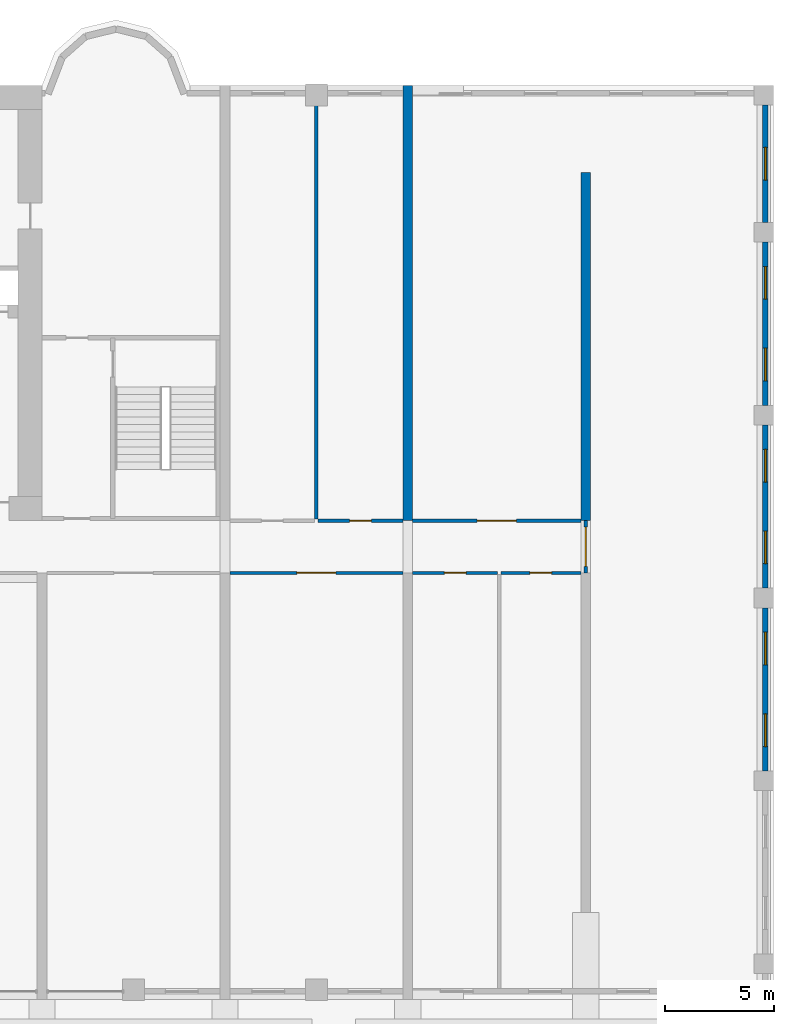
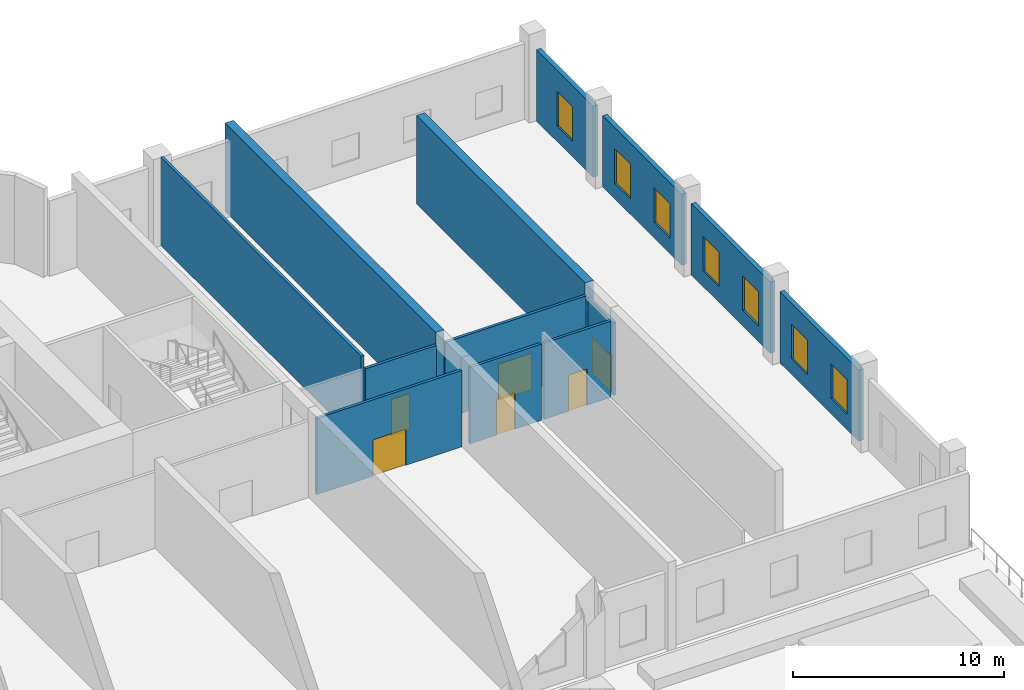
# One storey, part 14 of 20: 13 walls, 7 windows, 6 doors, 13 openings.
"""IFC4 building model written with IfcOpenShell, lengths in metres."""

from ifc_helpers import new_model, si_unit, direction, frame, frame_2d, origin, place, context, subcontext, project, spatial, rectangle, extrude, source, transform, mapped, material, layer, layer_set, type_object, element, fill, save


model = new_model("IFC4")

# Units and contexts
model_context = context("Model", 3, precision=1e-05, world=origin(), true_north=direction((0.0, 1.0)))
body_context = subcontext(model_context, "Body", "Model", "MODEL_VIEW")
ifc_project = project(units=[si_unit("LENGTHUNIT", "METRE"), si_unit("AREAUNIT", "SQUARE_METRE"), si_unit("VOLUMEUNIT", "CUBIC_METRE"), si_unit("PLANEANGLEUNIT", "RADIAN"), si_unit("MASSUNIT", "GRAM", prefix="KILO")], contexts=[model_context])

# Site, building, storey
site_placement = place(None, origin())
site = spatial("IfcSite", under=ifc_project, at=site_placement, CompositionType="ELEMENT")
building_placement = place(site_placement, origin())
building = spatial("IfcBuilding", under=site, at=building_placement, Name="Vanashikhar Sky Hotel", CompositionType="ELEMENT")
storey_placement = place(building_placement, frame((0.0, 0.0, 6.0)))
storey = spatial("IfcBuildingStorey", under=building, at=storey_placement, Name="L01", CompositionType="ELEMENT", Elevation=6.0)

# Walls
ifc_material_1 = material(Name="Concrete M80", Category="concrete")
ifc_layer_1 = layer(ifc_material_1, 0.449951171875)
ifc_layer_set_1 = layer_set([ifc_layer_1], Name="RC shear wall 450 Concrete M80")
wall_type_1 = type_object("IfcWallType", Name="RC shear wall 450 Concrete M80", PredefinedType="SHEAR", material=ifc_layer_set_1)
shared_shape_1 = source(origin(), body_context, "Body", "SweptSolid", [
    extrude(rectangle(XDim=16.0, YDim=0.449951171875, at=frame_2d((8.0, 0.0))), origin(), (0.0, 0.0, 1.0), 5.1201171875),
])
wall_1_placement = place(storey_placement, frame((100.574951171875, 22.0, 0.0), z_axis=(0.0, 0.0, 1.0), x_axis=(0.0, 1.0, 0.0)))
element("IfcWall", 1, at=wall_1_placement, inside=storey, type_object=wall_type_1, Name="CW-L01-XW13-2", PredefinedType="SHEAR", context=body_context, shape_type="MappedRepresentation", body=[
    mapped(shared_shape_1, transform((0.0, 0.0, 0.0), scale=1.0)),
])
shared_shape_2 = source(origin(), body_context, "Body", "SweptSolid", [
    extrude(rectangle(XDim=20.0, YDim=0.449951171875, at=frame_2d((10.0, 0.0))), origin(), (0.0, 0.0, 1.0), 5.1201171875),
])
wall_2_placement = place(storey_placement, frame((92.39990234375, 22.0, 0.0), z_axis=(0.0, 0.0, 1.0), x_axis=(0.0, 1.0, 0.0)))
element("IfcWall", 2, at=wall_2_placement, inside=storey, type_object=wall_type_1, Name="CW-L01-XW12-2", PredefinedType="SHEAR", context=body_context, shape_type="MappedRepresentation", body=[
    mapped(shared_shape_2, transform((0.0, 0.0, 0.0), scale=1.0)),
])

# Wall, openings, windows
ifc_material_2 = material(Name="Concrete M50", Category="concrete")
ifc_layer_2 = layer(ifc_material_2, 0.25)
ifc_layer_set_2 = layer_set([ifc_layer_2], Name="Rear and end board-marked wall 250")
wall_type_2 = type_object("IfcWallType", Name="Rear and end board-marked wall 250", PredefinedType="SOLIDWALL", material=ifc_layer_set_2)
shared_shape_3 = source(origin(), body_context, "Body", "SweptSolid", [
    extrude(rectangle(XDim=7.5, YDim=0.25, at=frame_2d((3.75, 0.0))), origin(), (0.0, 0.0, 1.0), 4.1201171875),
])
wall_3_placement = place(storey_placement, frame((108.824951171875, 10.5, 0.0), z_axis=(0.0, 0.0, 1.0), x_axis=(0.0, 1.0, 0.0)))
wall_3 = element("IfcWall", 3, at=wall_3_placement, inside=storey, type_object=wall_type_2, Name="Podium external wall", PredefinedType="SOLIDWALL", context=body_context, shape_type="MappedRepresentation", body=[
    mapped(shared_shape_3, transform((0.0, 0.0, 0.0), scale=1.0)),
])
shared_shape_4 = source(origin(), body_context, "Body", "SweptSolid", [
    extrude(rectangle(XDim=1.5, YDim=2.0, at=frame_2d((0.75, 1.0))), frame((0.0, 0.135009765625, 0.0), z_axis=(0.0, -1.0, 0.0), x_axis=(1.0, 0.0, 0.0)), (0.0, 0.0, 1.0), 0.27001953125),
])
opening_1_placement = place(wall_3_placement, frame((1.125, 0.0, 0.89990234375)))
opening_1 = element("IfcOpeningElement", 4, at=opening_1_placement, cuts=wall_3, Name="Opening WN-2", PredefinedType="OPENING", context=body_context, shape_type="MappedRepresentation", body=[
    mapped(shared_shape_4, transform((0.0, 0.0, 0.0), scale=1.0)),
])
opening_2_placement = place(wall_3_placement, frame((4.875, 0.0, 0.89990234375)))
opening_2 = element("IfcOpeningElement", 5, at=opening_2_placement, cuts=wall_3, Name="Opening WN-2", PredefinedType="OPENING", context=body_context, shape_type="MappedRepresentation", body=[
    mapped(shared_shape_4, transform((0.0, 0.0, 0.0), scale=1.0)),
])
ifc_material_3 = material(Name="Glass", Category="glass")
window_type = type_object("IfcWindowType", Name="Lobe window 1500 x 2000", PartitioningType="SINGLE_PANEL", PredefinedType="WINDOW", material=ifc_material_3)
shared_shape_5 = source(origin(), body_context, "Body", "SweptSolid", [
    extrude(rectangle(XDim=1.5, YDim=2.0, at=frame_2d((0.75, 1.0))), frame((0.0, 0.030029296875, 0.0), z_axis=(0.0, -1.0, 0.0), x_axis=(1.0, 0.0, 0.0)), (0.0, 0.0, 1.0), 0.06005859375),
])
window_1_placement = place(opening_1_placement, origin())
window_1 = element("IfcWindow", 6, at=window_1_placement, inside=storey, type_object=window_type, Name="Window WN-2", OverallHeight=2.0, OverallWidth=1.5, PartitioningType="SINGLE_PANEL", PredefinedType="WINDOW", context=body_context, shape_type="MappedRepresentation", body=[
    mapped(shared_shape_5, transform((0.0, 0.0, 0.0), scale=1.0)),
])
fill(opening_1, window_1)
window_2_placement = place(opening_2_placement, origin())
window_2 = element("IfcWindow", 7, at=window_2_placement, inside=storey, type_object=window_type, Name="Window WN-2", OverallHeight=2.0, OverallWidth=1.5, PartitioningType="SINGLE_PANEL", PredefinedType="WINDOW", context=body_context, shape_type="MappedRepresentation", body=[
    mapped(shared_shape_5, transform((0.0, 0.0, 0.0), scale=1.0)),
])
fill(opening_2, window_2)

wall_4_placement = place(storey_placement, frame((108.824951171875, 18.89990234375, 0.0), z_axis=(0.0, 0.0, 1.0), x_axis=(0.0, 1.0, 0.0)))
wall_4 = element("IfcWall", 8, at=wall_4_placement, inside=storey, type_object=wall_type_2, Name="Podium external wall", PredefinedType="SOLIDWALL", context=body_context, shape_type="MappedRepresentation", body=[
    mapped(shared_shape_3, transform((0.0, 0.0, 0.0), scale=1.0)),
])
opening_3_placement = place(wall_4_placement, frame((1.125, 0.0, 0.89990234375)))
opening_3 = element("IfcOpeningElement", 9, at=opening_3_placement, cuts=wall_4, Name="Opening WN-2", PredefinedType="OPENING", context=body_context, shape_type="MappedRepresentation", body=[
    mapped(shared_shape_4, transform((0.0, 0.0, 0.0), scale=1.0)),
])
opening_4_placement = place(wall_4_placement, frame((4.875, 0.0, 0.89990234375)))
opening_4 = element("IfcOpeningElement", 10, at=opening_4_placement, cuts=wall_4, Name="Opening WN-2", PredefinedType="OPENING", context=body_context, shape_type="MappedRepresentation", body=[
    mapped(shared_shape_4, transform((0.0, 0.0, 0.0), scale=1.0)),
])
window_3_placement = place(opening_3_placement, origin())
window_3 = element("IfcWindow", 11, at=window_3_placement, inside=storey, type_object=window_type, Name="Window WN-2", OverallHeight=2.0, OverallWidth=1.5, PartitioningType="SINGLE_PANEL", PredefinedType="WINDOW", context=body_context, shape_type="MappedRepresentation", body=[
    mapped(shared_shape_5, transform((0.0, 0.0, 0.0), scale=1.0)),
])
fill(opening_3, window_3)
window_4_placement = place(opening_4_placement, origin())
window_4 = element("IfcWindow", 12, at=window_4_placement, inside=storey, type_object=window_type, Name="Window WN-2", OverallHeight=2.0, OverallWidth=1.5, PartitioningType="SINGLE_PANEL", PredefinedType="WINDOW", context=body_context, shape_type="MappedRepresentation", body=[
    mapped(shared_shape_5, transform((0.0, 0.0, 0.0), scale=1.0)),
])
fill(opening_4, window_4)

wall_5_placement = place(storey_placement, frame((108.824951171875, 27.300048828125, 0.0), z_axis=(0.0, 0.0, 1.0), x_axis=(0.0, 1.0, 0.0)))
wall_5 = element("IfcWall", 13, at=wall_5_placement, inside=storey, type_object=wall_type_2, Name="Podium external wall", PredefinedType="SOLIDWALL", context=body_context, shape_type="MappedRepresentation", body=[
    mapped(shared_shape_3, transform((0.0, 0.0, 0.0), scale=1.0)),
])
opening_5_placement = place(wall_5_placement, frame((1.125, 0.0, 0.89990234375)))
opening_5 = element("IfcOpeningElement", 14, at=opening_5_placement, cuts=wall_5, Name="Opening WN-2", PredefinedType="OPENING", context=body_context, shape_type="MappedRepresentation", body=[
    mapped(shared_shape_4, transform((0.0, 0.0, 0.0), scale=1.0)),
])
opening_6_placement = place(wall_5_placement, frame((4.875, 0.0, 0.89990234375)))
opening_6 = element("IfcOpeningElement", 15, at=opening_6_placement, cuts=wall_5, Name="Opening WN-2", PredefinedType="OPENING", context=body_context, shape_type="MappedRepresentation", body=[
    mapped(shared_shape_4, transform((0.0, 0.0, 0.0), scale=1.0)),
])
window_5_placement = place(opening_5_placement, origin())
window_5 = element("IfcWindow", 16, at=window_5_placement, inside=storey, type_object=window_type, Name="Window WN-2", OverallHeight=2.0, OverallWidth=1.5, PartitioningType="SINGLE_PANEL", PredefinedType="WINDOW", context=body_context, shape_type="MappedRepresentation", body=[
    mapped(shared_shape_5, transform((0.0, 0.0, 0.0), scale=1.0)),
])
fill(opening_5, window_5)
window_6_placement = place(opening_6_placement, origin())
window_6 = element("IfcWindow", 17, at=window_6_placement, inside=storey, type_object=window_type, Name="Window WN-2", OverallHeight=2.0, OverallWidth=1.5, PartitioningType="SINGLE_PANEL", PredefinedType="WINDOW", context=body_context, shape_type="MappedRepresentation", body=[
    mapped(shared_shape_5, transform((0.0, 0.0, 0.0), scale=1.0)),
])
fill(opening_6, window_6)

# Wall, opening, window
shared_shape_6 = source(origin(), body_context, "Body", "SweptSolid", [
    extrude(rectangle(XDim=5.400146484375, YDim=0.25, at=frame_2d((2.7001953125, 0.0))), origin(), (0.0, 0.0, 1.0), 4.1201171875),
])
wall_6_placement = place(storey_placement, frame((108.824951171875, 35.699951171875, 0.0), z_axis=(0.0, 0.0, 1.0), x_axis=(0.0, 1.0, 0.0)))
wall_6 = element("IfcWall", 18, at=wall_6_placement, inside=storey, type_object=wall_type_2, Name="Podium external wall", PredefinedType="SOLIDWALL", context=body_context, shape_type="MappedRepresentation", body=[
    mapped(shared_shape_6, transform((0.0, 0.0, 0.0), scale=1.0)),
])
opening_7_placement = place(wall_6_placement, frame((1.949951171875, 0.0, 0.89990234375)))
opening_7 = element("IfcOpeningElement", 19, at=opening_7_placement, cuts=wall_6, Name="Opening WN-2", PredefinedType="OPENING", context=body_context, shape_type="MappedRepresentation", body=[
    mapped(shared_shape_4, transform((0.0, 0.0, 0.0), scale=1.0)),
])
window_7_placement = place(opening_7_placement, origin())
window_7 = element("IfcWindow", 20, at=window_7_placement, inside=storey, type_object=window_type, Name="Window WN-2", OverallHeight=2.0, OverallWidth=1.5, PartitioningType="SINGLE_PANEL", PredefinedType="WINDOW", context=body_context, shape_type="MappedRepresentation", body=[
    mapped(shared_shape_5, transform((0.0, 0.0, 0.0), scale=1.0)),
])
fill(opening_7, window_7)

# Wall, opening, door
ifc_material_4 = material(Name="Gypsum plasterboard partition")
ifc_layer_3 = layer(ifc_material_4, 0.14990234375)
ifc_layer_set_3 = layer_set([ifc_layer_3], Name="Corridor and demising partition 150")
wall_type_3 = type_object("IfcWallType", Name="Corridor and demising partition 150", PredefinedType="PARTITIONING", material=ifc_layer_set_3)
shared_shape_7 = source(origin(), body_context, "Body", "SweptSolid", [
    extrude(rectangle(XDim=3.675048828125, YDim=0.14990234375, at=frame_2d((1.83740234375, 0.0))), origin(), (0.0, 0.0, 1.0), 4.419921875),
])
wall_7_placement = place(storey_placement, frame((96.675048828125, 19.60009765625, 0.0), z_axis=(0.0, 0.0, 1.0), x_axis=(1.0, 0.0, 0.0)))
wall_7 = element("IfcWall", 21, at=wall_7_placement, inside=storey, type_object=wall_type_3, Name="W-L01-PW021", PredefinedType="PARTITIONING", context=body_context, shape_type="MappedRepresentation", body=[
    mapped(shared_shape_7, transform((0.0, 0.0, 0.0), scale=1.0)),
])
shared_shape_8 = source(origin(), body_context, "Body", "SweptSolid", [
    extrude(rectangle(XDim=1.0, YDim=2.10009765625, at=frame_2d((0.5, 1.050048828125))), frame((0.0, 0.0849609375, 0.0), z_axis=(0.0, -1.0, 0.0), x_axis=(1.0, 0.0, 0.0)), (0.0, 0.0, 1.0), 0.169921875),
])
opening_8_placement = place(wall_7_placement, frame((1.3369140625, 0.0, 0.0)))
opening_8 = element("IfcOpeningElement", 22, at=opening_8_placement, cuts=wall_7, Name="Opening D-01", PredefinedType="OPENING", context=body_context, shape_type="MappedRepresentation", body=[
    mapped(shared_shape_8, transform((0.0, 0.0, 0.0), scale=1.0)),
])
ifc_material_5 = material(Name="Timber fire door", Category="wood")
door_type_1 = type_object("IfcDoorType", Name="Guest entry door 1000 FD30S", OperationType="NOTDEFINED", PredefinedType="DOOR", material=ifc_material_5)
shared_shape_9 = source(origin(), body_context, "Body", "SweptSolid", [
    extrude(rectangle(XDim=1.0, YDim=2.10009765625, at=frame_2d((0.5, 1.050048828125))), frame((0.0, 0.02490234375, 0.0), z_axis=(0.0, -1.0, 0.0), x_axis=(1.0, 0.0, 0.0)), (0.0, 0.0, 1.0), 0.050048828125),
])
door_1_placement = place(opening_8_placement, origin())
door_1 = element("IfcDoor", 23, at=door_1_placement, inside=storey, type_object=door_type_1, Name="D-L01-017", OperationType="SINGLE_SWING_RIGHT", OverallHeight=2.10009765625, OverallWidth=1.0, PredefinedType="DOOR", context=body_context, shape_type="MappedRepresentation", body=[
    mapped(shared_shape_9, transform((0.0, 0.0, 0.0), scale=1.0)),
])
fill(opening_8, door_1)

shared_shape_10 = source(origin(), body_context, "Body", "SweptSolid", [
    extrude(rectangle(XDim=3.900146484375, YDim=0.14990234375, at=frame_2d((1.9501953125, 0.0))), origin(), (0.0, 0.0, 1.0), 4.419921875),
])
wall_8_placement = place(storey_placement, frame((88.27490234375, 22.0, 0.0), z_axis=(0.0, 0.0, 1.0), x_axis=(1.0, 0.0, 0.0)))
wall_8 = element("IfcWall", 24, at=wall_8_placement, inside=storey, type_object=wall_type_3, Name="W-L01-PW032", PredefinedType="PARTITIONING", context=body_context, shape_type="MappedRepresentation", body=[
    mapped(shared_shape_10, transform((0.0, 0.0, 0.0), scale=1.0)),
])
opening_9_placement = place(wall_8_placement, frame((1.449951171875, 0.0, 0.0)))
opening_9 = element("IfcOpeningElement", 25, at=opening_9_placement, cuts=wall_8, Name="Opening D-01", PredefinedType="OPENING", context=body_context, shape_type="MappedRepresentation", body=[
    mapped(shared_shape_8, transform((0.0, 0.0, 0.0), scale=1.0)),
])
door_2_placement = place(opening_9_placement, origin())
door_2 = element("IfcDoor", 26, at=door_2_placement, inside=storey, type_object=door_type_1, Name="D-L01-024", OperationType="SINGLE_SWING_RIGHT", OverallHeight=2.10009765625, OverallWidth=1.0, PredefinedType="DOOR", context=body_context, shape_type="MappedRepresentation", body=[
    mapped(shared_shape_9, transform((0.0, 0.0, 0.0), scale=1.0)),
])
fill(opening_9, door_2)

shared_shape_11 = source(origin(), body_context, "Body", "SweptSolid", [
    extrude(rectangle(XDim=7.949951171875, YDim=0.14990234375, at=frame_2d((3.97509765625, 0.0))), origin(), (0.0, 0.0, 1.0), 4.419921875),
])
wall_9_placement = place(storey_placement, frame((84.22509765625, 19.60009765625, 0.0), z_axis=(0.0, 0.0, 1.0), x_axis=(1.0, 0.0, 0.0)))
wall_9 = element("IfcWall", 27, at=wall_9_placement, inside=storey, type_object=wall_type_3, Name="W-L01-PW019", PredefinedType="PARTITIONING", context=body_context, shape_type="MappedRepresentation", body=[
    mapped(shared_shape_11, transform((0.0, 0.0, 0.0), scale=1.0)),
])
shared_shape_12 = source(origin(), body_context, "Body", "SweptSolid", [
    extrude(rectangle(XDim=1.800048828125, YDim=2.10009765625, at=frame_2d((0.89990234375, 1.050048828125))), frame((0.0, 0.0849609375, 0.0), z_axis=(0.0, -1.0, 0.0), x_axis=(1.0, 0.0, 0.0)), (0.0, 0.0, 1.0), 0.169921875),
])
opening_10_placement = place(wall_9_placement, frame((3.074951171875, 0.0, 0.0)))
opening_10 = element("IfcOpeningElement", 28, at=opening_10_placement, cuts=wall_9, Name="Opening D-03", PredefinedType="OPENING", context=body_context, shape_type="MappedRepresentation", body=[
    mapped(shared_shape_12, transform((0.0, 0.0, 0.0), scale=1.0)),
])
door_type_2 = type_object("IfcDoorType", Name="Double leaf door 1800 FD30S", OperationType="NOTDEFINED", PredefinedType="DOOR", material=ifc_material_5)
shared_shape_13 = source(origin(), body_context, "Body", "SweptSolid", [
    extrude(rectangle(XDim=1.800048828125, YDim=2.10009765625, at=frame_2d((0.89990234375, 1.050048828125))), frame((0.0, 0.02490234375, 0.0), z_axis=(0.0, -1.0, 0.0), x_axis=(1.0, 0.0, 0.0)), (0.0, 0.0, 1.0), 0.050048828125),
])
door_3_placement = place(opening_10_placement, origin())
door_3 = element("IfcDoor", 29, at=door_3_placement, inside=storey, type_object=door_type_2, Name="D-L01-015", OperationType="DOUBLE_DOOR_SINGLE_SWING", OverallHeight=2.10009765625, OverallWidth=1.800048828125, PredefinedType="DOOR", context=body_context, shape_type="MappedRepresentation", body=[
    mapped(shared_shape_13, transform((0.0, 0.0, 0.0), scale=1.0)),
])
fill(opening_10, door_3)

shared_shape_14 = source(origin(), body_context, "Body", "SweptSolid", [
    extrude(rectangle(XDim=3.89990234375, YDim=0.14990234375, at=frame_2d((1.949951171875, 0.0))), origin(), (0.0, 0.0, 1.0), 4.419921875),
])
wall_10_placement = place(storey_placement, frame((92.625, 19.60009765625, 0.0), z_axis=(0.0, 0.0, 1.0), x_axis=(1.0, 0.0, 0.0)))
wall_10 = element("IfcWall", 30, at=wall_10_placement, inside=storey, type_object=wall_type_3, Name="W-L01-PW020", PredefinedType="PARTITIONING", context=body_context, shape_type="MappedRepresentation", body=[
    mapped(shared_shape_14, transform((0.0, 0.0, 0.0), scale=1.0)),
])
opening_11_placement = place(wall_10_placement, frame((1.449951171875, 0.0, 0.0)))
opening_11 = element("IfcOpeningElement", 31, at=opening_11_placement, cuts=wall_10, Name="Opening D-01", PredefinedType="OPENING", context=body_context, shape_type="MappedRepresentation", body=[
    mapped(shared_shape_8, transform((0.0, 0.0, 0.0), scale=1.0)),
])
door_4_placement = place(opening_11_placement, origin())
door_4 = element("IfcDoor", 32, at=door_4_placement, inside=storey, type_object=door_type_1, Name="D-L01-016", OperationType="SINGLE_SWING_LEFT", OverallHeight=2.10009765625, OverallWidth=1.0, PredefinedType="DOOR", context=body_context, shape_type="MappedRepresentation", body=[
    mapped(shared_shape_9, transform((0.0, 0.0, 0.0), scale=1.0)),
])
fill(opening_11, door_4)

shared_shape_15 = source(origin(), body_context, "Body", "SweptSolid", [
    extrude(rectangle(XDim=2.39990234375, YDim=0.14990234375, at=frame_2d((1.199951171875, 0.0))), origin(), (0.0, 0.0, 1.0), 4.219970703125),
])
wall_11_placement = place(storey_placement, frame((100.574951171875, 19.60009765625, 0.0), z_axis=(0.0, 0.0, 1.0), x_axis=(0.0, 1.0, 0.0)))
wall_11 = element("IfcWall", 33, at=wall_11_placement, inside=storey, type_object=wall_type_3, Name="W-L01-PW026", PredefinedType="PARTITIONING", context=body_context, shape_type="MappedRepresentation", body=[
    mapped(shared_shape_15, transform((0.0, 0.0, 0.0), scale=1.0)),
])
opening_12_placement = place(wall_11_placement, frame((0.300048828125, 0.0, 0.0)))
opening_12 = element("IfcOpeningElement", 34, at=opening_12_placement, cuts=wall_11, Name="Opening D-03", PredefinedType="OPENING", context=body_context, shape_type="MappedRepresentation", body=[
    mapped(shared_shape_12, transform((0.0, 0.0, 0.0), scale=1.0)),
])
door_5_placement = place(opening_12_placement, origin())
door_5 = element("IfcDoor", 35, at=door_5_placement, inside=storey, type_object=door_type_2, Name="D-L01-019", OperationType="DOUBLE_DOOR_SINGLE_SWING", OverallHeight=2.10009765625, OverallWidth=1.800048828125, PredefinedType="DOOR", context=body_context, shape_type="MappedRepresentation", body=[
    mapped(shared_shape_13, transform((0.0, 0.0, 0.0), scale=1.0)),
])
fill(opening_12, door_5)

# Wall
shared_shape_16 = source(origin(), body_context, "Body", "SweptSolid", [
    extrude(rectangle(XDim=19.025146484375, YDim=0.14990234375, at=frame_2d((9.5126953125, 0.0))), origin(), (0.0, 0.0, 1.0), 5.1201171875),
])
wall_12_placement = place(storey_placement, frame((88.199951171875, 22.074951171875, 0.0), z_axis=(0.0, 0.0, 1.0), x_axis=(0.0, 1.0, 0.0)))
element("IfcWall", 36, at=wall_12_placement, inside=storey, type_object=wall_type_3, Name="W-L01-PW033", PredefinedType="PARTITIONING", context=body_context, shape_type="MappedRepresentation", body=[
    mapped(shared_shape_16, transform((0.0, 0.0, 0.0), scale=1.0)),
])

# Wall, opening, door
shared_shape_17 = source(origin(), body_context, "Body", "SweptSolid", [
    extrude(rectangle(XDim=7.72509765625, YDim=0.14990234375, at=frame_2d((3.862548828125, 0.0))), origin(), (0.0, 0.0, 1.0), 4.419921875),
])
wall_13_placement = place(storey_placement, frame((92.625, 22.0, 0.0), z_axis=(0.0, 0.0, 1.0), x_axis=(1.0, 0.0, 0.0)))
wall_13 = element("IfcWall", 37, at=wall_13_placement, inside=storey, type_object=wall_type_3, Name="W-L01-PW034", PredefinedType="PARTITIONING", context=body_context, shape_type="MappedRepresentation", body=[
    mapped(shared_shape_17, transform((0.0, 0.0, 0.0), scale=1.0)),
])
opening_13_placement = place(wall_13_placement, frame((2.9619140625, 0.0, 0.0)))
opening_13 = element("IfcOpeningElement", 38, at=opening_13_placement, cuts=wall_13, Name="Opening D-03", PredefinedType="OPENING", context=body_context, shape_type="MappedRepresentation", body=[
    mapped(shared_shape_12, transform((0.0, 0.0, 0.0), scale=1.0)),
])
door_6_placement = place(opening_13_placement, origin())
door_6 = element("IfcDoor", 39, at=door_6_placement, inside=storey, type_object=door_type_2, Name="D-L01-025", OperationType="DOUBLE_DOOR_SINGLE_SWING", OverallHeight=2.10009765625, OverallWidth=1.800048828125, PredefinedType="DOOR", context=body_context, shape_type="MappedRepresentation", body=[
    mapped(shared_shape_13, transform((0.0, 0.0, 0.0), scale=1.0)),
])
fill(opening_13, door_6)

save(model, "model.ifc")
